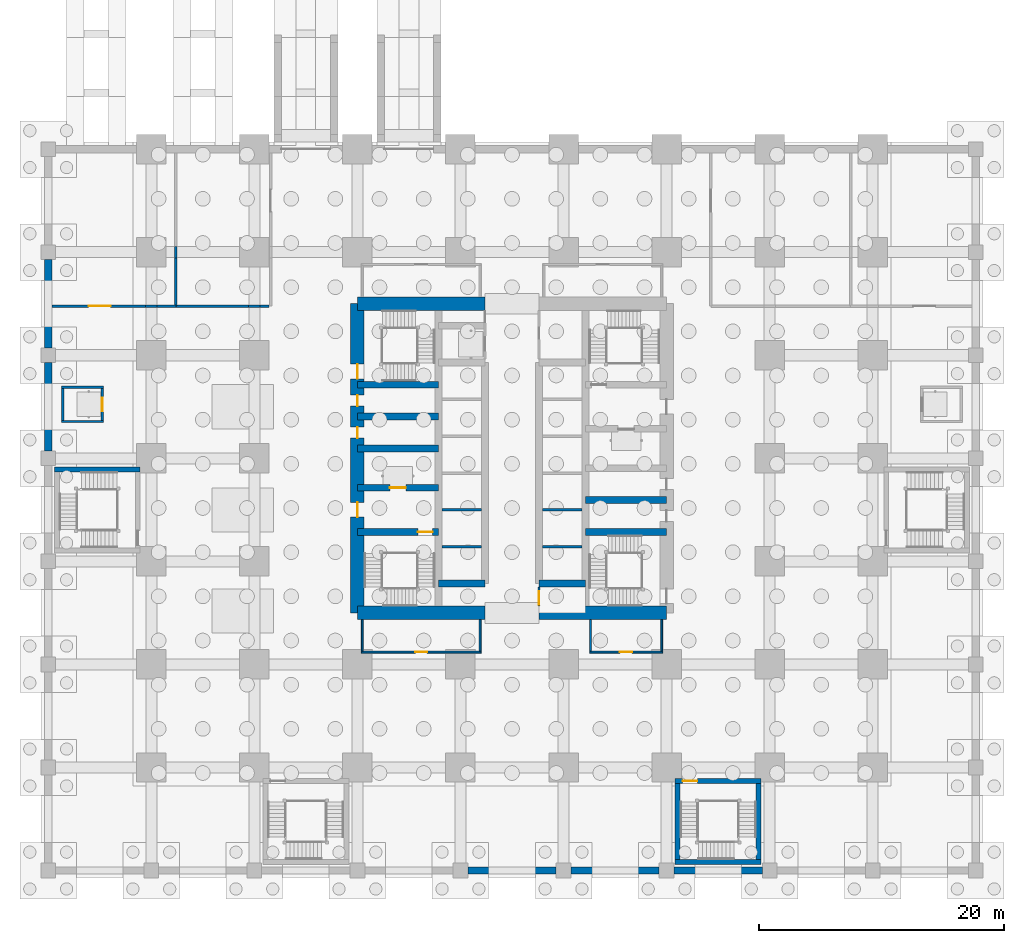
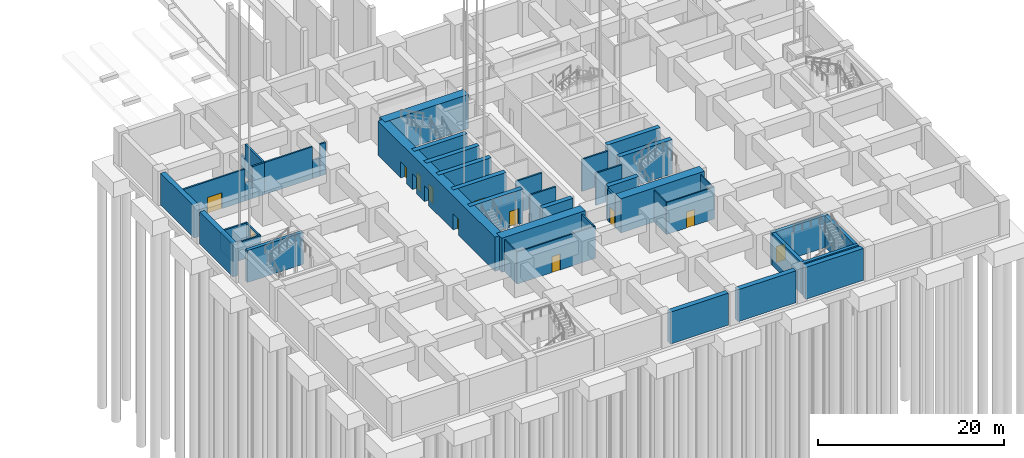
# One storey, part 8 of 28: 46 walls, 12 doors, 12 openings.
"""IFC4 building model written with IfcOpenShell, lengths in metres."""

from ifc_helpers import new_model, si_unit, direction, frame, frame_2d, origin, place, context, subcontext, project, spatial, rectangle, extrude, material, layer, layer_set, type_object, element, fill, save


model = new_model("IFC4")

# Units and contexts
model_context = context("Model", 3, precision=1e-05, world=origin(), true_north=direction((0.0, 1.0)))
body_context = subcontext(model_context, "Body", "Model", "MODEL_VIEW")
ifc_project = project(units=[si_unit("LENGTHUNIT", "METRE"), si_unit("AREAUNIT", "SQUARE_METRE"), si_unit("VOLUMEUNIT", "CUBIC_METRE"), si_unit("PLANEANGLEUNIT", "RADIAN"), si_unit("MASSUNIT", "GRAM", prefix="KILO")], contexts=[model_context])

# Site, building, storey
site_placement = place(None, origin())
site = spatial("IfcSite", under=ifc_project, at=site_placement, CompositionType="ELEMENT")
building_placement = place(site_placement, origin())
building = spatial("IfcBuilding", under=site, at=building_placement, Name="Rekha Terrace Tower", CompositionType="ELEMENT")
storey_placement = place(building_placement, frame((0.0, 0.0, -9.89990234375)))
storey = spatial("IfcBuildingStorey", under=building, at=storey_placement, Name="B-02", CompositionType="ELEMENT", Elevation=-9.89990234375)

# Walls
ifc_material_1 = material(Name="Concrete M70", Category="concrete")
ifc_layer_1 = layer(ifc_material_1, 0.550048828125)
ifc_layer_set_1 = layer_set([ifc_layer_1], Name="Concrete M70")
wall_type_1 = type_object("IfcWallType", Name="CI1 550 core internal shear wall", PredefinedType="SHEAR", material=ifc_layer_set_1)
for number, where, z_axis, x_axis, name in (
    (1, (31.800048828125, 23.39990234375, 0.0), (0.0, 0.0, 1.0), (1.0, 0.0, 0.0), "Core wall Y234W B-02"),
    (2, (40.0, 23.39990234375, 0.0), (0.0, 0.0, 1.0), (1.0, 0.0, 0.0), "Core wall Y234E B-02"),
):
    element("IfcWall", number, at=place(storey_placement, frame(where, z_axis=z_axis, x_axis=x_axis)), inside=storey, type_object=wall_type_1, Name=name, PredefinedType="SHEAR", context=body_context, shape_type="SweptSolid", body=[
        extrude(rectangle(XDim=3.800048828125, YDim=0.550048828125, at=frame_2d((1.89990234375, 0.0))), origin(), (0.0, 0.0, 1.0), 4.5),
    ])

# Wall, opening, door
wall_1_placement = place(storey_placement, frame((25.199951171875, 27.60009765625, 0.0), z_axis=(0.0, 0.0, 1.0), x_axis=(1.0, 0.0, 0.0)))
wall_1 = element("IfcWall", 3, at=wall_1_placement, inside=storey, type_object=wall_type_1, Name="Core wall Y276W B-02", PredefinedType="SHEAR", context=body_context, shape_type="SweptSolid", body=[
    extrude(rectangle(XDim=6.60009765625, YDim=0.550048828125, at=frame_2d((3.300048828125, 0.0))), origin(), (0.0, 0.0, 1.0), 4.5),
])
opening_1_placement = place(wall_1_placement, frame((4.925048828125, 0.0, 0.0)))
opening_1 = element("IfcOpeningElement", 4, at=opening_1_placement, cuts=wall_1, Name="Opening D1", PredefinedType="OPENING", context=body_context, shape_type="SweptSolid", body=[
    extrude(rectangle(XDim=1.199951171875, YDim=2.10009765625, at=frame_2d((0.60009765625, 1.050048828125))), frame((0.0, 0.284912109375, 0.0), z_axis=(0.0, -1.0, 0.0), x_axis=(1.0, 0.0, 0.0)), (0.0, 0.0, 1.0), 0.570068359375),
])
ifc_material_2 = material(Name="Steel fire door", Category="steel")
door_type_1 = type_object("IfcDoorType", Name="D1 1200x2100 stair fire door", OperationType="SINGLE_SWING_RIGHT", PredefinedType="DOOR", material=ifc_material_2)
door_1_placement = place(opening_1_placement, origin())
door_1 = element("IfcDoor", 5, at=door_1_placement, inside=storey, type_object=door_type_1, Name="Stair ST1 door B-02", OperationType="SINGLE_SWING_RIGHT", OverallHeight=2.10009765625, OverallWidth=1.199951171875, PredefinedType="DOOR", context=body_context, shape_type="SweptSolid", body=[
    extrude(rectangle(XDim=1.199951171875, YDim=2.10009765625, at=frame_2d((0.60009765625, 1.050048828125))), frame((0.0, 0.02490234375, 0.0), z_axis=(0.0, -1.0, 0.0), x_axis=(1.0, 0.0, 0.0)), (0.0, 0.0, 1.0), 0.050048828125),
])
fill(opening_1, door_1)

wall_2_placement = place(storey_placement, frame((25.199951171875, 31.199951171875, 0.0), z_axis=(0.0, 0.0, 1.0), x_axis=(1.0, 0.0, 0.0)))
wall_2 = element("IfcWall", 6, at=wall_2_placement, inside=storey, type_object=wall_type_1, Name="Core wall Y312W B-02", PredefinedType="SHEAR", context=body_context, shape_type="SweptSolid", body=[
    extrude(rectangle(XDim=6.60009765625, YDim=0.550048828125, at=frame_2d((3.300048828125, 0.0))), origin(), (0.0, 0.0, 1.0), 4.5),
])
opening_2_placement = place(wall_2_placement, frame((2.64990234375, 0.0, 0.0)))
opening_2 = element("IfcOpeningElement", 7, at=opening_2_placement, cuts=wall_2, Name="Opening LD2", PredefinedType="OPENING", context=body_context, shape_type="SweptSolid", body=[
    extrude(rectangle(XDim=1.300048828125, YDim=2.10009765625, at=frame_2d((0.64990234375, 1.050048828125))), frame((0.0, 0.284912109375, 0.0), z_axis=(0.0, -1.0, 0.0), x_axis=(1.0, 0.0, 0.0)), (0.0, 0.0, 1.0), 0.570068359375),
])
ifc_material_3 = material(Name="Stainless steel sliding landing door", Category="steel")
door_type_2 = type_object("IfcDoorType", Name="LD2 1300x2100 fire lift landing door", OperationType="SLIDING_TO_LEFT", PredefinedType="USERDEFINED", material=ifc_material_3)
door_2_placement = place(opening_2_placement, origin())
door_2 = element("IfcDoor", 8, at=door_2_placement, inside=storey, type_object=door_type_2, Name="Lift FL1 landing door B-02", ObjectType="LIFT LANDING DOOR", OperationType="SLIDING_TO_LEFT", OverallHeight=2.10009765625, OverallWidth=1.300048828125, PredefinedType="USERDEFINED", context=body_context, shape_type="SweptSolid", body=[
    extrude(rectangle(XDim=1.300048828125, YDim=2.10009765625, at=frame_2d((0.64990234375, 1.050048828125))), frame((0.0, 0.02490234375, 0.0), z_axis=(0.0, -1.0, 0.0), x_axis=(1.0, 0.0, 0.0)), (0.0, 0.0, 1.0), 0.050048828125),
])
fill(opening_2, door_2)

# Walls
for number, where, z_axis, x_axis, name in (
    (9, (25.199951171875, 34.39990234375, 0.0), (0.0, 0.0, 1.0), (1.0, 0.0, 0.0), "Core wall Y344W B-02"),
    (10, (25.199951171875, 37.0, 0.0), (0.0, 0.0, 1.0), (1.0, 0.0, 0.0), "Core wall Y370W B-02"),
    (11, (25.199951171875, 39.60009765625, 0.0), (0.0, 0.0, 1.0), (1.0, 0.0, 0.0), "Core wall Y396W B-02"),
):
    element("IfcWall", number, at=place(storey_placement, frame(where, z_axis=z_axis, x_axis=x_axis)), inside=storey, type_object=wall_type_1, Name=name, PredefinedType="SHEAR", context=body_context, shape_type="SweptSolid", body=[
        extrude(rectangle(XDim=6.60009765625, YDim=0.550048828125, at=frame_2d((3.300048828125, 0.0))), origin(), (0.0, 0.0, 1.0), 4.5),
    ])
for number, where, z_axis, x_axis, name in (
    (12, (43.800048828125, 27.60009765625, 0.0), (0.0, 0.0, 1.0), (1.0, 0.0, 0.0), "Core wall Y276E B-02"),
    (13, (43.800048828125, 30.199951171875, 0.0), (0.0, 0.0, 1.0), (1.0, 0.0, 0.0), "Core wall Y302E B-02"),
):
    element("IfcWall", number, at=place(storey_placement, frame(where, z_axis=z_axis, x_axis=x_axis)), inside=storey, type_object=wall_type_1, Name=name, PredefinedType="SHEAR", context=body_context, shape_type="SweptSolid", body=[
        extrude(rectangle(XDim=6.599853515625, YDim=0.550048828125, at=frame_2d((3.2998046875, 0.0))), origin(), (0.0, 0.0, 1.0), 4.5),
    ])
ifc_material_4 = material(Name="Concrete M40", Category="concrete")
ifc_layer_2 = layer(ifc_material_4, 0.60009765625)
ifc_layer_set_2 = layer_set([ifc_layer_2], Name="Concrete M40")
wall_type_2 = type_object("IfcWallType", Name="RW1 600 basement retaining wall", PredefinedType="SOLIDWALL", material=ifc_layer_set_2)
for number, where, z_axis, x_axis, name in (
    (14, (34.199951171875, 0.0, 0.0), (0.0, 0.0, 1.0), (1.0, 0.0, 0.0), "Basement retaining wall RW1 5A-6A B-02"),
    (15, (42.60009765625, 0.0, 0.0), (0.0, 0.0, 1.0), (1.0, 0.0, 0.0), "Basement retaining wall RW1 6A-7A B-02"),
    (16, (51.0, 0.0, 0.0), (0.0, 0.0, 1.0), (1.0, 0.0, 0.0), "Basement retaining wall RW1 7A-8A B-02"),
    (17, (0.0, 34.199951171875, 0.0), (0.0, 0.0, 1.0), (0.0, 1.0, 0.0), "Basement retaining wall RW1 1E-1F B-02"),
    (18, (0.0, 42.60009765625, 0.0), (0.0, 0.0, 1.0), (0.0, 1.0, 0.0), "Basement retaining wall RW1 1F-1G B-02"),
):
    element("IfcWall", number, at=place(storey_placement, frame(where, z_axis=z_axis, x_axis=x_axis)), inside=storey, type_object=wall_type_2, Name=name, PredefinedType="SOLIDWALL", context=body_context, shape_type="SweptSolid", body=[
        extrude(rectangle(XDim=7.199951171875, YDim=0.60009765625, at=frame_2d((3.60009765625, 0.0))), origin(), (0.0, 0.0, 1.0), 4.199951171875),
    ])
ifc_layer_3 = layer(ifc_material_1, 1.10009765625)
ifc_layer_set_3 = layer_set([ifc_layer_3], Name="Concrete M70")
wall_type_3 = type_object("IfcWallType", Name="SW1 1100 core outer shear wall", PredefinedType="SHEAR", material=ifc_layer_set_3)
wall_3_placement = place(storey_placement, frame((25.199951171875, 21.0, 0.0), z_axis=(0.0, 0.0, 1.0), x_axis=(1.0, 0.0, 0.0)))
element("IfcWall", 19, at=wall_3_placement, inside=storey, type_object=wall_type_3, Name="Core wall S1 B-02", PredefinedType="SHEAR", context=body_context, shape_type="SweptSolid", body=[
    extrude(rectangle(XDim=10.400146484375, YDim=1.10009765625, at=frame_2d((5.2001953125, 0.0))), origin(), (0.0, 0.0, 1.0), 4.5),
])
wall_4_placement = place(storey_placement, frame((40.0, 21.0, 0.0), z_axis=(0.0, 0.0, 1.0), x_axis=(1.0, 0.0, 0.0)))
element("IfcWall", 20, at=wall_4_placement, inside=storey, type_object=wall_type_3, Name="Core wall S2 B-02", PredefinedType="SHEAR", context=body_context, shape_type="SweptSolid", body=[
    extrude(rectangle(XDim=10.39990234375, YDim=1.10009765625, at=frame_2d((5.199951171875, 0.0))), origin(), (0.0, 0.0, 1.0), 4.5),
])
wall_5_placement = place(storey_placement, frame((25.199951171875, 46.199951171875, 0.0), z_axis=(0.0, 0.0, 1.0), x_axis=(1.0, 0.0, 0.0)))
element("IfcWall", 21, at=wall_5_placement, inside=storey, type_object=wall_type_3, Name="Core wall N1 B-02", PredefinedType="SHEAR", context=body_context, shape_type="SweptSolid", body=[
    extrude(rectangle(XDim=10.400146484375, YDim=1.10009765625, at=frame_2d((5.2001953125, 0.0))), origin(), (0.0, 0.0, 1.0), 4.5),
])

# Wall, openings, doors
wall_6_placement = place(storey_placement, frame((25.199951171875, 21.0, 0.0), z_axis=(0.0, 0.0, 1.0), x_axis=(0.0, 1.0, 0.0)))
wall_6 = element("IfcWall", 22, at=wall_6_placement, inside=storey, type_object=wall_type_3, Name="Core wall W B-02", PredefinedType="SHEAR", context=body_context, shape_type="SweptSolid", body=[
    extrude(rectangle(XDim=25.199951171875, YDim=1.10009765625, at=frame_2d((12.60009765625, 0.0))), origin(), (0.0, 0.0, 1.0), 4.5),
])
opening_3_placement = place(wall_6_placement, frame((7.800048828125, 0.0, 0.0)))
opening_3 = element("IfcOpeningElement", 23, at=opening_3_placement, cuts=wall_6, Name="Opening D2", PredefinedType="OPENING", context=body_context, shape_type="SweptSolid", body=[
    extrude(rectangle(XDim=1.199951171875, YDim=2.10009765625, at=frame_2d((0.60009765625, 1.050048828125))), frame((0.0, 0.56005859375, 0.0), z_axis=(0.0, -1.0, 0.0), x_axis=(1.0, 0.0, 0.0)), (0.0, 0.0, 1.0), 1.1201171875),
])
opening_4_placement = place(wall_6_placement, frame((14.25, 0.0, 0.0)))
opening_4 = element("IfcOpeningElement", 24, at=opening_4_placement, cuts=wall_6, Name="Opening D5", PredefinedType="OPENING", context=body_context, shape_type="SweptSolid", body=[
    extrude(rectangle(XDim=0.89990234375, YDim=2.10009765625, at=frame_2d((0.449951171875, 1.050048828125))), frame((0.0, 0.56005859375, 0.0), z_axis=(0.0, -1.0, 0.0), x_axis=(1.0, 0.0, 0.0)), (0.0, 0.0, 1.0), 1.1201171875),
])
opening_5_placement = place(wall_6_placement, frame((16.85009765625, 0.0, 0.0)))
opening_5 = element("IfcOpeningElement", 25, at=opening_5_placement, cuts=wall_6, Name="Opening D5", PredefinedType="OPENING", context=body_context, shape_type="SweptSolid", body=[
    extrude(rectangle(XDim=0.89990234375, YDim=2.10009765625, at=frame_2d((0.449951171875, 1.050048828125))), frame((0.0, 0.56005859375, 0.0), z_axis=(0.0, -1.0, 0.0), x_axis=(1.0, 0.0, 0.0)), (0.0, 0.0, 1.0), 1.1201171875),
])
opening_6_placement = place(wall_6_placement, frame((19.074951171875, 0.0, 0.0)))
opening_6 = element("IfcOpeningElement", 26, at=opening_6_placement, cuts=wall_6, Name="Opening D1", PredefinedType="OPENING", context=body_context, shape_type="SweptSolid", body=[
    extrude(rectangle(XDim=1.199951171875, YDim=2.10009765625, at=frame_2d((0.60009765625, 1.050048828125))), frame((0.0, 0.56005859375, 0.0), z_axis=(0.0, -1.0, 0.0), x_axis=(1.0, 0.0, 0.0)), (0.0, 0.0, 1.0), 1.1201171875),
])
door_3_placement = place(opening_6_placement, origin())
door_3 = element("IfcDoor", 27, at=door_3_placement, inside=storey, type_object=door_type_1, Name="Stair ST4 door B-02", OperationType="SINGLE_SWING_RIGHT", OverallHeight=2.10009765625, OverallWidth=1.199951171875, PredefinedType="DOOR", context=body_context, shape_type="SweptSolid", body=[
    extrude(rectangle(XDim=1.199951171875, YDim=2.10009765625, at=frame_2d((0.60009765625, 1.050048828125))), frame((0.0, 0.02490234375, 0.0), z_axis=(0.0, -1.0, 0.0), x_axis=(1.0, 0.0, 0.0)), (0.0, 0.0, 1.0), 0.050048828125),
])
fill(opening_6, door_3)
door_type_3 = type_object("IfcDoorType", Name="D2 1200x2100 firefighting lobby door", OperationType="SINGLE_SWING_LEFT", PredefinedType="DOOR", material=ifc_material_2)
door_4_placement = place(opening_3_placement, origin())
door_4 = element("IfcDoor", 28, at=door_4_placement, inside=storey, type_object=door_type_3, Name="Door flb1 B-02", OperationType="SINGLE_SWING_LEFT", OverallHeight=2.10009765625, OverallWidth=1.199951171875, PredefinedType="DOOR", context=body_context, shape_type="SweptSolid", body=[
    extrude(rectangle(XDim=1.199951171875, YDim=2.10009765625, at=frame_2d((0.60009765625, 1.050048828125))), frame((0.0, 0.02490234375, 0.0), z_axis=(0.0, -1.0, 0.0), x_axis=(1.0, 0.0, 0.0)), (0.0, 0.0, 1.0), 0.050048828125),
])
fill(opening_3, door_4)
door_type_4 = type_object("IfcDoorType", Name="D5 900x2100 riser access door", OperationType="SINGLE_SWING_LEFT", PredefinedType="DOOR", material=ifc_material_2)
door_5_placement = place(opening_4_placement, origin())
door_5 = element("IfcDoor", 29, at=door_5_placement, inside=storey, type_object=door_type_4, Name="Door rs1 B-02", OperationType="SINGLE_SWING_LEFT", OverallHeight=2.10009765625, OverallWidth=0.89990234375, PredefinedType="DOOR", context=body_context, shape_type="SweptSolid", body=[
    extrude(rectangle(XDim=0.89990234375, YDim=2.10009765625, at=frame_2d((0.449951171875, 1.050048828125))), frame((0.0, 0.02490234375, 0.0), z_axis=(0.0, -1.0, 0.0), x_axis=(1.0, 0.0, 0.0)), (0.0, 0.0, 1.0), 0.050048828125),
])
fill(opening_4, door_5)
door_6_placement = place(opening_5_placement, origin())
door_6 = element("IfcDoor", 30, at=door_6_placement, inside=storey, type_object=door_type_4, Name="Door elw B-02", OperationType="SINGLE_SWING_LEFT", OverallHeight=2.10009765625, OverallWidth=0.89990234375, PredefinedType="DOOR", context=body_context, shape_type="SweptSolid", body=[
    extrude(rectangle(XDim=0.89990234375, YDim=2.10009765625, at=frame_2d((0.449951171875, 1.050048828125))), frame((0.0, 0.02490234375, 0.0), z_axis=(0.0, -1.0, 0.0), x_axis=(1.0, 0.0, 0.0)), (0.0, 0.0, 1.0), 0.050048828125),
])
fill(opening_5, door_6)

# Walls
ifc_material_5 = material(Name="Solid concrete block masonry, 2 hour", Category="masonry")
ifc_layer_4 = layer(ifc_material_5, 0.199951171875)
ifc_layer_set_4 = layer_set([ifc_layer_4], Name="Solid concrete block masonry, 2 hour")
wall_type_4 = type_object("IfcWallType", Name="WP1 200 plant room wall", PredefinedType="PARTITIONING", material=ifc_layer_set_4)
wall_7_placement = place(storey_placement, frame((10.39990234375, 50.860107421875, 0.0), z_axis=(0.0, 0.0, 1.0), x_axis=(0.0, -1.0, 0.0)))
element("IfcWall", 31, at=wall_7_placement, inside=storey, type_object=wall_type_4, Name="Partition B-02-02", PredefinedType="PARTITIONING", context=body_context, shape_type="SweptSolid", body=[
    extrude(rectangle(XDim=0.920166015625, YDim=0.199951171875, at=frame_2d((0.4599609375, 0.0))), origin(), (0.0, 0.0, 1.0), 2.39990234375),
])
wall_8_placement = place(storey_placement, frame((10.39990234375, 49.93994140625, 0.0), z_axis=(0.0, 0.0, 1.0), x_axis=(0.0, -1.0, 0.0)))
element("IfcWall", 32, at=wall_8_placement, inside=storey, type_object=wall_type_4, Name="Partition B-02-02", PredefinedType="PARTITIONING", context=body_context, shape_type="SweptSolid", body=[
    extrude(rectangle(XDim=3.93994140625, YDim=0.199951171875, at=frame_2d((1.969970703125, 0.0))), origin(), (0.0, 0.0, 1.0), 4.199951171875),
])
wall_9_placement = place(storey_placement, frame((10.39990234375, 46.0, 0.0), z_axis=(0.0, 0.0, 1.0), x_axis=(-1.0, 0.0, 0.0)))
element("IfcWall", 33, at=wall_9_placement, inside=storey, type_object=wall_type_4, Name="Partition B-02-02", PredefinedType="PARTITIONING", context=body_context, shape_type="SweptSolid", body=[
    extrude(rectangle(XDim=1.539794921875, YDim=0.199951171875, at=frame_2d((0.77001953125, 0.0))), origin(), (0.0, 0.0, 1.0), 4.199951171875),
])
wall_10_placement = place(storey_placement, frame((8.860107421875, 46.0, 0.0), z_axis=(0.0, 0.0, 1.0), x_axis=(-1.0, 0.0, 0.0)))
element("IfcWall", 34, at=wall_10_placement, inside=storey, type_object=wall_type_4, Name="Partition B-02-02", PredefinedType="PARTITIONING", context=body_context, shape_type="SweptSolid", body=[
    extrude(rectangle(XDim=0.920166015625, YDim=0.199951171875, at=frame_2d((0.4599609375, 0.0))), origin(), (0.0, 0.0, 1.0), 2.39990234375),
])

# Wall, opening, door
wall_11_placement = place(storey_placement, frame((7.93994140625, 46.0, 0.0), z_axis=(0.0, 0.0, 1.0), x_axis=(-1.0, 0.0, 0.0)))
wall_11 = element("IfcWall", 35, at=wall_11_placement, inside=storey, type_object=wall_type_4, Name="Partition B-02-02", PredefinedType="PARTITIONING", context=body_context, shape_type="SweptSolid", body=[
    extrude(rectangle(XDim=7.639892578125, YDim=0.199951171875, at=frame_2d((3.81982421875, 0.0))), origin(), (0.0, 0.0, 1.0), 4.199951171875),
])
opening_7_placement = place(wall_11_placement, frame((2.844970703125, 0.0, 0.0)))
opening_7 = element("IfcOpeningElement", 36, at=opening_7_placement, cuts=wall_11, Name="Opening D6", PredefinedType="OPENING", context=body_context, shape_type="SweptSolid", body=[
    extrude(rectangle(XDim=1.800048828125, YDim=2.10009765625, at=frame_2d((0.89990234375, 1.050048828125))), frame((0.0, 0.10986328125, 0.0), z_axis=(0.0, -1.0, 0.0), x_axis=(1.0, 0.0, 0.0)), (0.0, 0.0, 1.0), 0.219970703125),
])
door_type_5 = type_object("IfcDoorType", Name="D6 1800x2100 plant room double door", OperationType="DOUBLE_DOOR_SINGLE_SWING", PredefinedType="DOOR", material=ifc_material_2)
door_7_placement = place(opening_7_placement, origin())
door_7 = element("IfcDoor", 37, at=door_7_placement, inside=storey, type_object=door_type_5, Name="Door pump room B-02", OperationType="DOUBLE_DOOR_SINGLE_SWING", OverallHeight=2.10009765625, OverallWidth=1.800048828125, PredefinedType="DOOR", context=body_context, shape_type="SweptSolid", body=[
    extrude(rectangle(XDim=1.800048828125, YDim=2.10009765625, at=frame_2d((0.89990234375, 1.050048828125))), frame((0.0, 0.02490234375, 0.0), z_axis=(0.0, -1.0, 0.0), x_axis=(1.0, 0.0, 0.0)), (0.0, 0.0, 1.0), 0.050048828125),
])
fill(opening_7, door_7)

# Walls
wall_12_placement = place(storey_placement, frame((18.0, 46.0, 0.0), z_axis=(0.0, 0.0, 1.0), x_axis=(-1.0, 0.0, 0.0)))
element("IfcWall", 38, at=wall_12_placement, inside=storey, type_object=wall_type_4, Name="Partition B-02-03", PredefinedType="PARTITIONING", context=body_context, shape_type="SweptSolid", body=[
    extrude(rectangle(XDim=0.739990234375, YDim=0.199951171875, at=frame_2d((0.3701171875, 0.0))), origin(), (0.0, 0.0, 1.0), 4.199951171875),
])
wall_13_placement = place(storey_placement, frame((17.260009765625, 46.0, 0.0), z_axis=(0.0, 0.0, 1.0), x_axis=(-1.0, 0.0, 0.0)))
element("IfcWall", 39, at=wall_13_placement, inside=storey, type_object=wall_type_4, Name="Partition B-02-03", PredefinedType="PARTITIONING", context=body_context, shape_type="SweptSolid", body=[
    extrude(rectangle(XDim=0.919921875, YDim=0.199951171875, at=frame_2d((0.4599609375, 0.0))), origin(), (0.0, 0.0, 1.0), 2.39990234375),
])
wall_14_placement = place(storey_placement, frame((16.340087890625, 46.0, 0.0), z_axis=(0.0, 0.0, 1.0), x_axis=(-1.0, 0.0, 0.0)))
element("IfcWall", 40, at=wall_14_placement, inside=storey, type_object=wall_type_4, Name="Partition B-02-03", PredefinedType="PARTITIONING", context=body_context, shape_type="SweptSolid", body=[
    extrude(rectangle(XDim=5.940185546875, YDim=0.199951171875, at=frame_2d((2.97021484375, 0.0))), origin(), (0.0, 0.0, 1.0), 4.199951171875),
])

# Wall, opening, door
ifc_material_6 = material(Name="Concrete block masonry, 1 hour", Category="masonry")
ifc_layer_5 = layer(ifc_material_6, 0.14990234375)
ifc_layer_set_5 = layer_set([ifc_layer_5], Name="Concrete block masonry, 1 hour")
wall_type_5 = type_object("IfcWallType", Name="WP2 150 tenancy partition", PredefinedType="PARTITIONING", material=ifc_layer_set_5)
wall_15_placement = place(storey_placement, frame((25.52490234375, 17.800048828125, 0.0), z_axis=(0.0, 0.0, 1.0), x_axis=(1.0, 0.0, 0.0)))
wall_15 = element("IfcWall", 41, at=wall_15_placement, inside=storey, type_object=wall_type_5, Name="Men's WC wall B-02", PredefinedType="PARTITIONING", context=body_context, shape_type="SweptSolid", body=[
    extrude(rectangle(XDim=9.75, YDim=0.14990234375, at=frame_2d((4.875, 0.0))), origin(), (0.0, 0.0, 1.0), 4.199951171875),
])
opening_8_placement = place(wall_15_placement, frame((4.375, 0.0, 0.0)))
opening_8 = element("IfcOpeningElement", 42, at=opening_8_placement, cuts=wall_15, Name="Opening D3", PredefinedType="OPENING", context=body_context, shape_type="SweptSolid", body=[
    extrude(rectangle(XDim=1.0, YDim=2.10009765625, at=frame_2d((0.5, 1.050048828125))), frame((0.0, 0.0849609375, 0.0), z_axis=(0.0, -1.0, 0.0), x_axis=(1.0, 0.0, 0.0)), (0.0, 0.0, 1.0), 0.169921875),
])
ifc_material_7 = material(Name="Laminated timber fire door", Category="wood")
door_type_6 = type_object("IfcDoorType", Name="D3 1000x2100 WC door", OperationType="SINGLE_SWING_LEFT", PredefinedType="DOOR", material=ifc_material_7)
door_8_placement = place(opening_8_placement, origin())
door_8 = element("IfcDoor", 43, at=door_8_placement, inside=storey, type_object=door_type_6, Name="Door men's wc B-02", OperationType="SINGLE_SWING_LEFT", OverallHeight=2.10009765625, OverallWidth=1.0, PredefinedType="DOOR", context=body_context, shape_type="SweptSolid", body=[
    extrude(rectangle(XDim=1.0, YDim=2.10009765625, at=frame_2d((0.5, 1.050048828125))), frame((0.0, 0.02490234375, 0.0), z_axis=(0.0, -1.0, 0.0), x_axis=(1.0, 0.0, 0.0)), (0.0, 0.0, 1.0), 0.050048828125),
])
fill(opening_8, door_8)

# Walls
for number, where, z_axis, x_axis, name in (
    (44, (25.60009765625, 17.875, 0.0), (0.0, 0.0, 1.0), (0.0, 1.0, 0.0), "Men's WC wall B-02"),
    (45, (35.199951171875, 17.875, 0.0), (0.0, 0.0, 1.0), (0.0, 1.0, 0.0), "Men's WC wall B-02"),
):
    element("IfcWall", number, at=place(storey_placement, frame(where, z_axis=z_axis, x_axis=x_axis)), inside=storey, type_object=wall_type_5, Name=name, PredefinedType="PARTITIONING", context=body_context, shape_type="SweptSolid", body=[
        extrude(rectangle(XDim=2.574951171875, YDim=0.14990234375, at=frame_2d((1.28759765625, 0.0))), origin(), (0.0, 0.0, 1.0), 4.199951171875),
    ])

# Wall, opening, door
wall_16_placement = place(storey_placement, frame((44.125, 17.800048828125, 0.0), z_axis=(0.0, 0.0, 1.0), x_axis=(1.0, 0.0, 0.0)))
wall_16 = element("IfcWall", 46, at=wall_16_placement, inside=storey, type_object=wall_type_5, Name="Men's WC wall B-02", PredefinedType="PARTITIONING", context=body_context, shape_type="SweptSolid", body=[
    extrude(rectangle(XDim=5.949951171875, YDim=0.14990234375, at=frame_2d((2.97509765625, 0.0))), origin(), (0.0, 0.0, 1.0), 4.199951171875),
])
opening_9_placement = place(wall_16_placement, frame((2.47509765625, 0.0, 0.0)))
opening_9 = element("IfcOpeningElement", 47, at=opening_9_placement, cuts=wall_16, Name="Opening D3", PredefinedType="OPENING", context=body_context, shape_type="SweptSolid", body=[
    extrude(rectangle(XDim=1.0, YDim=2.10009765625, at=frame_2d((0.5, 1.050048828125))), frame((0.0, 0.0849609375, 0.0), z_axis=(0.0, -1.0, 0.0), x_axis=(1.0, 0.0, 0.0)), (0.0, 0.0, 1.0), 0.169921875),
])
door_9_placement = place(opening_9_placement, origin())
door_9 = element("IfcDoor", 48, at=door_9_placement, inside=storey, type_object=door_type_6, Name="Door men's wc B-02", OperationType="SINGLE_SWING_LEFT", OverallHeight=2.10009765625, OverallWidth=1.0, PredefinedType="DOOR", context=body_context, shape_type="SweptSolid", body=[
    extrude(rectangle(XDim=1.0, YDim=2.10009765625, at=frame_2d((0.5, 1.050048828125))), frame((0.0, 0.02490234375, 0.0), z_axis=(0.0, -1.0, 0.0), x_axis=(1.0, 0.0, 0.0)), (0.0, 0.0, 1.0), 0.050048828125),
])
fill(opening_9, door_9)

# Walls
for number, where, z_axis, x_axis, name in (
    (49, (44.199951171875, 17.875, 0.0), (0.0, 0.0, 1.0), (0.0, 1.0, 0.0), "Men's WC wall B-02"),
    (50, (50.0, 17.875, 0.0), (0.0, 0.0, 1.0), (0.0, 1.0, 0.0), "Men's WC wall B-02"),
):
    element("IfcWall", number, at=place(storey_placement, frame(where, z_axis=z_axis, x_axis=x_axis)), inside=storey, type_object=wall_type_5, Name=name, PredefinedType="PARTITIONING", context=body_context, shape_type="SweptSolid", body=[
        extrude(rectangle(XDim=2.574951171875, YDim=0.14990234375, at=frame_2d((1.28759765625, 0.0))), origin(), (0.0, 0.0, 1.0), 4.199951171875),
    ])
ifc_layer_6 = layer(ifc_material_5, 0.199951171875)
ifc_layer_set_6 = layer_set([ifc_layer_6], Name="Solid concrete block masonry, 2 hour")
wall_type_6 = type_object("IfcWallType", Name="WS1 200 stair and shaft enclosure", PredefinedType="PARTITIONING", material=ifc_layer_set_6)
for number, where, z_axis, x_axis, name in (
    (51, (1.10009765625, 36.60009765625, 0.0), (0.0, 0.0, 1.0), (1.0, 0.0, 0.0), "Lift PL1 shaft south wall"),
    (52, (1.10009765625, 39.39990234375, 0.0), (0.0, 0.0, 1.0), (1.0, 0.0, 0.0), "Lift PL1 shaft north wall"),
):
    element("IfcWall", number, at=place(storey_placement, frame(where, z_axis=z_axis, x_axis=x_axis)), inside=storey, type_object=wall_type_6, Name=name, PredefinedType="PARTITIONING", context=body_context, shape_type="SweptSolid", body=[
        extrude(rectangle(XDim=3.39990234375, YDim=0.199951171875, at=frame_2d((1.699951171875, 0.0))), origin(), (0.0, 0.0, 1.0), 2.39990234375),
    ])
wall_17_placement = place(storey_placement, frame((1.199951171875, 36.699951171875, 0.0), z_axis=(0.0, 0.0, 1.0), x_axis=(0.0, 1.0, 0.0)))
element("IfcWall", 53, at=wall_17_placement, inside=storey, type_object=wall_type_6, Name="Lift PL1 shaft west wall", PredefinedType="PARTITIONING", context=body_context, shape_type="SweptSolid", body=[
    extrude(rectangle(XDim=2.60009765625, YDim=0.199951171875, at=frame_2d((1.300048828125, 0.0))), origin(), (0.0, 0.0, 1.0), 2.39990234375),
])

# Wall, opening, door
wall_18_placement = place(storey_placement, frame((4.39990234375, 36.699951171875, 0.0), z_axis=(0.0, 0.0, 1.0), x_axis=(0.0, 1.0, 0.0)))
wall_18 = element("IfcWall", 54, at=wall_18_placement, inside=storey, type_object=wall_type_6, Name="Lift PL1 shaft east wall", PredefinedType="PARTITIONING", context=body_context, shape_type="SweptSolid", body=[
    extrude(rectangle(XDim=2.60009765625, YDim=0.199951171875, at=frame_2d((1.300048828125, 0.0))), origin(), (0.0, 0.0, 1.0), 2.39990234375),
])
opening_10_placement = place(wall_18_placement, frame((0.75, 0.0, 0.0)))
opening_10 = element("IfcOpeningElement", 55, at=opening_10_placement, cuts=wall_18, Name="Opening LD1", PredefinedType="OPENING", context=body_context, shape_type="SweptSolid", body=[
    extrude(rectangle(XDim=1.10009765625, YDim=2.10009765625, at=frame_2d((0.550048828125, 1.050048828125))), frame((0.0, 0.10986328125, 0.0), z_axis=(0.0, -1.0, 0.0), x_axis=(1.0, 0.0, 0.0)), (0.0, 0.0, 1.0), 0.219970703125),
])
door_type_7 = type_object("IfcDoorType", Name="LD1 1100x2100 lift landing door", OperationType="SLIDING_TO_LEFT", PredefinedType="USERDEFINED", material=ifc_material_3)
door_10_placement = place(opening_10_placement, origin())
door_10 = element("IfcDoor", 56, at=door_10_placement, inside=storey, type_object=door_type_7, Name="Lift PL1 landing door B-02", ObjectType="LIFT LANDING DOOR", OperationType="SLIDING_TO_LEFT", OverallHeight=2.10009765625, OverallWidth=1.10009765625, PredefinedType="USERDEFINED", context=body_context, shape_type="SweptSolid", body=[
    extrude(rectangle(XDim=1.10009765625, YDim=2.10009765625, at=frame_2d((0.550048828125, 1.050048828125))), frame((0.0, 0.02490234375, 0.0), z_axis=(0.0, -1.0, 0.0), x_axis=(1.0, 0.0, 0.0)), (0.0, 0.0, 1.0), 0.050048828125),
])
fill(opening_10, door_10)

# Walls
for number, where, z_axis, x_axis, name in (
    (57, (32.074951171875, 26.39990234375, 0.0), (0.0, 0.0, 1.0), (1.0, 0.0, 0.0), "Lift shaft divider B-02"),
    (58, (32.074951171875, 29.39990234375, 0.0), (0.0, 0.0, 1.0), (1.0, 0.0, 0.0), "Lift shaft divider B-02"),
    (59, (40.27490234375, 26.39990234375, 0.0), (0.0, 0.0, 1.0), (1.0, 0.0, 0.0), "Lift shaft divider B-02"),
    (60, (40.27490234375, 29.39990234375, 0.0), (0.0, 0.0, 1.0), (1.0, 0.0, 0.0), "Lift shaft divider B-02"),
):
    element("IfcWall", number, at=place(storey_placement, frame(where, z_axis=z_axis, x_axis=x_axis)), inside=storey, type_object=wall_type_6, Name=name, PredefinedType="PARTITIONING", context=body_context, shape_type="SweptSolid", body=[
        extrude(rectangle(XDim=3.25, YDim=0.199951171875, at=frame_2d((1.625, 0.0))), origin(), (0.0, 0.0, 1.0), 4.199951171875),
    ])

# Wall, opening, door
wall_19_placement = place(storey_placement, frame((40.0, 21.550048828125, 0.0), z_axis=(0.0, 0.0, 1.0), x_axis=(0.0, 1.0, 0.0)))
wall_19 = element("IfcWall", 61, at=wall_19_placement, inside=storey, type_object=wall_type_6, Name="Core partition wca B-02", PredefinedType="PARTITIONING", context=body_context, shape_type="SweptSolid", body=[
    extrude(rectangle(XDim=1.574951171875, YDim=0.199951171875, at=frame_2d((0.78759765625, 0.0))), origin(), (0.0, 0.0, 1.0), 4.199951171875),
])
opening_11_placement = place(wall_19_placement, frame((0.10009765625, 0.0, 0.0)))
opening_11 = element("IfcOpeningElement", 62, at=opening_11_placement, cuts=wall_19, Name="Opening D4", PredefinedType="OPENING", context=body_context, shape_type="SweptSolid", body=[
    extrude(rectangle(XDim=1.10009765625, YDim=2.10009765625, at=frame_2d((0.550048828125, 1.050048828125))), frame((0.0, 0.10986328125, 0.0), z_axis=(0.0, -1.0, 0.0), x_axis=(1.0, 0.0, 0.0)), (0.0, 0.0, 1.0), 0.219970703125),
])
door_type_8 = type_object("IfcDoorType", Name="D4 1100x2100 accessible WC door", OperationType="SLIDING_TO_LEFT", PredefinedType="DOOR", material=ifc_material_7)
door_11_placement = place(opening_11_placement, origin())
door_11 = element("IfcDoor", 63, at=door_11_placement, inside=storey, type_object=door_type_8, Name="Door wca B-02", OperationType="SLIDING_TO_LEFT", OverallHeight=2.10009765625, OverallWidth=1.10009765625, PredefinedType="DOOR", context=body_context, shape_type="SweptSolid", body=[
    extrude(rectangle(XDim=1.10009765625, YDim=2.10009765625, at=frame_2d((0.550048828125, 1.050048828125))), frame((0.0, 0.02490234375, 0.0), z_axis=(0.0, -1.0, 0.0), x_axis=(1.0, 0.0, 0.0)), (0.0, 0.0, 1.0), 0.050048828125),
])
fill(opening_11, door_11)

# Walls
ifc_material_8 = material(Name="Concrete M60", Category="concrete")
ifc_layer_7 = layer(ifc_material_8, 0.39990234375)
ifc_layer_set_7 = layer_set([ifc_layer_7], Name="Concrete M60")
wall_type_7 = type_object("IfcWallType", Name="WS3 400 RC podium stair wall", PredefinedType="SOLIDWALL", material=ifc_layer_set_7)
for number, where, z_axis, x_axis, name in (
    (64, (0.5, 32.699951171875, 0.0), (0.0, 0.0, 1.0), (1.0, 0.0, 0.0), "Stair SP1 north wall"),
    (65, (51.10009765625, 0.699951171875, 0.0), (0.0, 0.0, 1.0), (1.0, 0.0, 0.0), "Stair SP4 south wall"),
):
    element("IfcWall", number, at=place(storey_placement, frame(where, z_axis=z_axis, x_axis=x_axis)), inside=storey, type_object=wall_type_7, Name=name, PredefinedType="SOLIDWALL", context=body_context, shape_type="SweptSolid", body=[
        extrude(rectangle(XDim=7.0, YDim=0.39990234375, at=frame_2d((3.5, 0.0))), origin(), (0.0, 0.0, 1.0), 4.199951171875),
    ])

# Wall, opening, door
wall_20_placement = place(storey_placement, frame((51.10009765625, 7.300048828125, 0.0), z_axis=(0.0, 0.0, 1.0), x_axis=(1.0, 0.0, 0.0)))
wall_20 = element("IfcWall", 66, at=wall_20_placement, inside=storey, type_object=wall_type_7, Name="Stair SP4 north wall", PredefinedType="SOLIDWALL", context=body_context, shape_type="SweptSolid", body=[
    extrude(rectangle(XDim=7.0, YDim=0.39990234375, at=frame_2d((3.5, 0.0))), origin(), (0.0, 0.0, 1.0), 4.199951171875),
])
opening_12_placement = place(wall_20_placement, frame((0.60009765625, 0.0, 0.0)))
opening_12 = element("IfcOpeningElement", 67, at=opening_12_placement, cuts=wall_20, Name="Opening D1", PredefinedType="OPENING", context=body_context, shape_type="SweptSolid", body=[
    extrude(rectangle(XDim=1.199951171875, YDim=2.10009765625, at=frame_2d((0.60009765625, 1.050048828125))), frame((0.0, 0.2099609375, 0.0), z_axis=(0.0, -1.0, 0.0), x_axis=(1.0, 0.0, 0.0)), (0.0, 0.0, 1.0), 0.419921875),
])
door_12_placement = place(opening_12_placement, origin())
door_12 = element("IfcDoor", 68, at=door_12_placement, inside=storey, type_object=door_type_1, Name="Stair SP4 door B-02", OperationType="SINGLE_SWING_RIGHT", OverallHeight=2.10009765625, OverallWidth=1.199951171875, PredefinedType="DOOR", context=body_context, shape_type="SweptSolid", body=[
    extrude(rectangle(XDim=1.199951171875, YDim=2.10009765625, at=frame_2d((0.60009765625, 1.050048828125))), frame((0.0, 0.02490234375, 0.0), z_axis=(0.0, -1.0, 0.0), x_axis=(1.0, 0.0, 0.0)), (0.0, 0.0, 1.0), 0.050048828125),
])
fill(opening_12, door_12)

# Walls
for number, where, z_axis, x_axis, name in (
    (69, (51.300048828125, 0.89990234375, 0.0), (0.0, 0.0, 1.0), (0.0, 1.0, 0.0), "Stair SP4 west wall"),
    (70, (57.89990234375, 0.89990234375, 0.0), (0.0, 0.0, 1.0), (0.0, 1.0, 0.0), "Stair SP4 east wall"),
):
    element("IfcWall", number, at=place(storey_placement, frame(where, z_axis=z_axis, x_axis=x_axis)), inside=storey, type_object=wall_type_7, Name=name, PredefinedType="SOLIDWALL", context=body_context, shape_type="SweptSolid", body=[
        extrude(rectangle(XDim=6.2001953125, YDim=0.39990234375, at=frame_2d((3.10009765625, 0.0))), origin(), (0.0, 0.0, 1.0), 4.199951171875),
    ])

save(model, "model.ifc")
